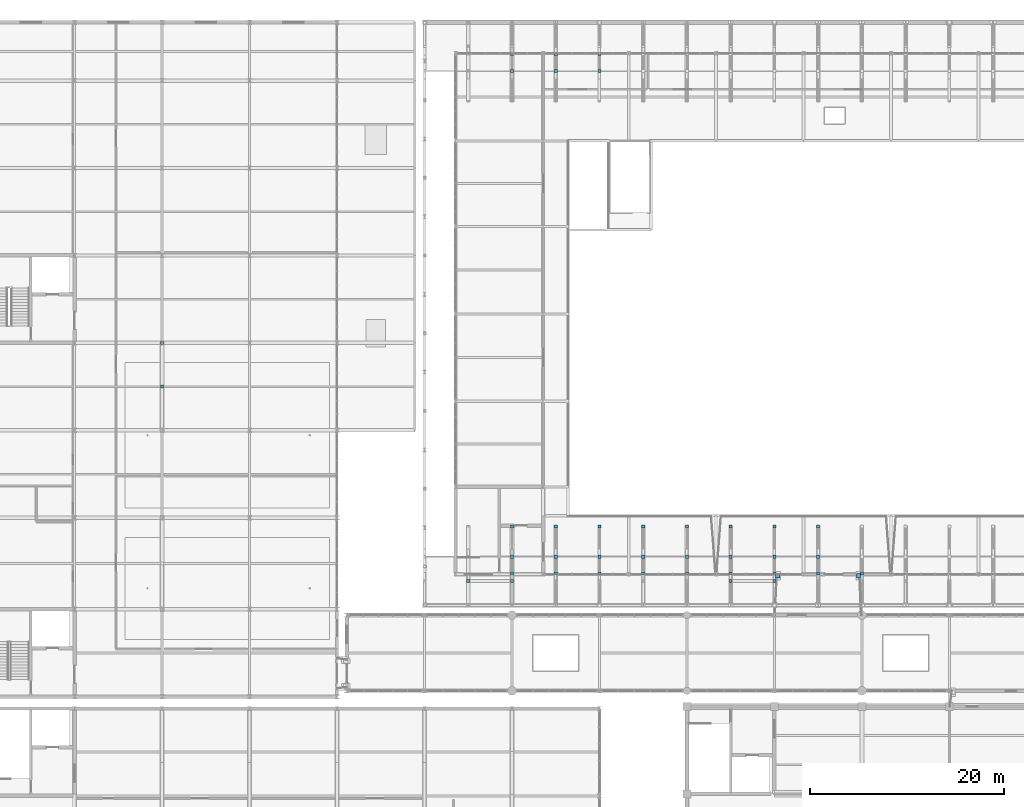
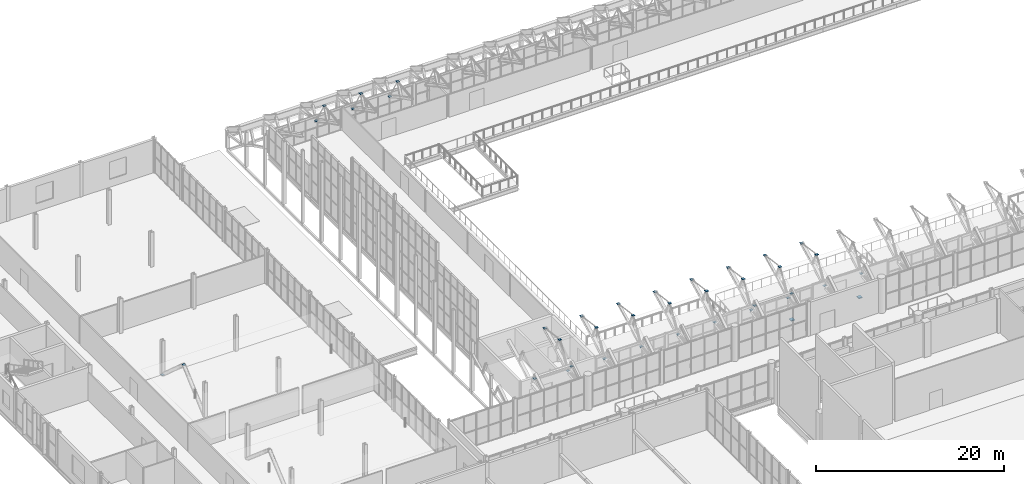
# One storey, part 124 of 134: 39 discrete accessories.
"""IFC4 building model written with IfcOpenShell, lengths in metres."""

import ifcopenshell
import ifcopenshell.guid

model = None  # the IFC model being written
_history = None  # IfcOwnerHistory: only IFC2X3 demands one
_inside = {}  # id of a spatial element -> (the spatial element, [elements in it])
_under = {}  # id of a project, library or spatial element -> (it, [spatial elements below it])
_declared = {}  # id of a project -> (the project, [libraries it declares])
_typed = {}  # id of a type object -> (the type object, [elements of that type])
_made_of = {}  # id of a material, layer set ... -> (it, [elements and type objects made of it])


def new_model(schema):
    """Start an empty IFC model of exactly this schema.

    Asked for "IFC4X3", IfcOpenShell would pick the latest addendum, in which some entities
    have other attributes; the version numbers below select the first issue.
    IFC2X3 requires an IfcOwnerHistory on every rooted entity: one is made here for all.
    """
    global model, _history
    if schema == "IFC4X3":
        model = ifcopenshell.file(schema_version=(4, 3, 0, 0))
    else:
        model = ifcopenshell.file(schema=schema)
    _inside.clear()
    _under.clear()
    _declared.clear()
    _typed.clear()
    _made_of.clear()
    _history = None
    if model.schema == "IFC2X3":
        org = make("IfcOrganization", Name="unknown")
        user = make(
            "IfcPersonAndOrganization",
            ThePerson=make("IfcPerson", FamilyName="unknown"),
            TheOrganization=org,
        )
        app = make(
            "IfcApplication",
            ApplicationDeveloper=org,
            Version="unknown",
            ApplicationFullName="unknown",
            ApplicationIdentifier="unknown",
        )
        _history = make(
            "IfcOwnerHistory",
            OwningUser=user,
            OwningApplication=app,
            ChangeAction="ADDED",
            CreationDate=0,
        )
    return model


def make(cls, **values):
    """One entity of the class cls with the attributes given. An attribute that is None is left unset."""
    return model.create_entity(
        cls, **{name: value for name, value in values.items() if value is not None}
    )


def rooted(cls, **values):
    """An entity with a GlobalId (a new one), such as an element, a storey or a relation."""
    return make(cls, GlobalId=ifcopenshell.guid.new(), OwnerHistory=_history, **values)


def si_unit(unit_type, name, prefix=None):
    """IfcSIUnit, for example si_unit("LENGTHUNIT", "METRE", prefix="MILLI")."""
    return make("IfcSIUnit", UnitType=unit_type, Prefix=prefix, Name=name)


def assignment(units):
    """IfcUnitAssignment: the units of a project."""
    return None if units is None else make("IfcUnitAssignment", Units=units)


def point(xyz):
    """IfcCartesianPoint."""
    return None if xyz is None else make("IfcCartesianPoint", Coordinates=xyz)


def direction(xyz):
    """IfcDirection."""
    return None if xyz is None else make("IfcDirection", DirectionRatios=xyz)


def frame(location, z_axis=None, x_axis=None):
    """IfcAxis2Placement3D, a coordinate frame: its origin and axes. An axis left out is left unset."""
    return make(
        "IfcAxis2Placement3D",
        Location=point(location),
        Axis=direction(z_axis),
        RefDirection=direction(x_axis),
    )


def frame_2d(location, x_axis=None):
    """IfcAxis2Placement2D, a coordinate frame in the plane: its origin and x axis."""
    return make(
        "IfcAxis2Placement2D", Location=point(location), RefDirection=direction(x_axis)
    )


def origin():
    """The frame at (0, 0, 0) with its axes left unset."""
    return frame((0.0, 0.0, 0.0))


def origin_2d():
    """The frame at (0, 0) in the plane with its x axis left unset."""
    return frame_2d((0.0, 0.0))


def place(relative_to, where):
    """IfcLocalPlacement: puts the frame where relative to a parent placement (None: the world)."""
    return make(
        "IfcLocalPlacement", PlacementRelTo=relative_to, RelativePlacement=where
    )


def context(
    kind, dimensions, precision=None, world=None, true_north=None, identifier=None
):
    """IfcGeometricRepresentationContext, for example the 3D "Model" context."""
    return make(
        "IfcGeometricRepresentationContext",
        ContextIdentifier=identifier,
        ContextType=kind,
        CoordinateSpaceDimension=dimensions,
        Precision=precision,
        WorldCoordinateSystem=world,
        TrueNorth=true_north,
    )


def subcontext(parent, identifier, kind, view, scale=None):
    """IfcGeometricRepresentationSubContext, for example "Body" below "Model"."""
    return make(
        "IfcGeometricRepresentationSubContext",
        ContextIdentifier=identifier,
        ContextType=kind,
        ParentContext=parent,
        TargetScale=scale,
        TargetView=view,
    )


def project(units=None, contexts=None):
    """IfcProject with its units and contexts."""
    return rooted(
        "IfcProject",
        Name="project",
        RepresentationContexts=contexts,
        UnitsInContext=assignment(units),
    )


def spatial(cls, under=None, at=None, **own):
    """A site, building, storey or space (cls), placed at a placement, below another one or the project."""
    s = rooted(cls, ObjectPlacement=at, **own)
    if under is not None:
        _under.setdefault(under.id(), (under, []))[1].append(s)
    return s


def profile(cls, at=None, kind="AREA", **sizes):
    """A parametric profile (cls). Its sizes go by their IFC names, for example OverallWidth=200.0."""
    return make(cls, ProfileType=kind, Position=at, **sizes)


def rectangle(**sizes):
    """IfcRectangleProfileDef."""
    return profile("IfcRectangleProfileDef", **sizes)


def extrude(swept, where, along, depth):
    """IfcExtrudedAreaSolid: the profile swept, set in the frame where, extruded along a direction by depth."""
    return make(
        "IfcExtrudedAreaSolid",
        SweptArea=swept,
        Position=where,
        ExtrudedDirection=direction(along),
        Depth=depth,
    )


def shape(context_of_items, identifier, shape_type, items):
    """IfcShapeRepresentation: the items that make up one representation, for example the "Body"."""
    return make(
        "IfcShapeRepresentation",
        ContextOfItems=context_of_items,
        RepresentationIdentifier=identifier,
        RepresentationType=shape_type,
        Items=items,
    )


def material(Name=None, Category=None):
    """IfcMaterial."""
    return make("IfcMaterial", Name=Name, Category=Category)


def made_of(thing, what):
    """Note that an element or type object is made of a material, layer set ...; save() writes the relation."""
    if what is not None:
        _made_of.setdefault(what.id(), (what, []))[1].append(thing)
    return thing


def type_object(cls, material=None, **own):
    """A type object (cls), such as IfcWallType, which elements share."""
    return made_of(rooted(cls, **own), material)


def element(
    cls,
    number,
    at=None,
    inside=None,
    cuts=None,
    type_object=None,
    material=None,
    context=None,
    identifier="Body",
    shape_type=None,
    held_by="IfcProductDefinitionShape",
    body=None,
    shapes=None,
    **own,
):
    """One element of the class cls, such as IfcWall. Its Tag is "e" and its number.

    at: its placement. inside: the storey or other place that contains it. cuts: it is an
    opening in that element (IfcRelVoidsElement). A single representation is given by context,
    identifier, shape_type and body (its items); several are given by shapes. held_by: the class
    of the entity that holds the representations. save() writes the other relations.
    """
    e = rooted(cls, Tag="e%d" % number, ObjectPlacement=at, **own)
    if body is not None:
        shapes = [shape(context, identifier, shape_type, body)]
    if shapes is not None:
        e.Representation = make(held_by, Representations=shapes)
    if inside is not None:
        _inside.setdefault(inside.id(), (inside, []))[1].append(e)
    if cuts is not None:
        rooted(
            "IfcRelVoidsElement", RelatingBuildingElement=cuts, RelatedOpeningElement=e
        )
    if type_object is not None:
        _typed.setdefault(type_object.id(), (type_object, []))[1].append(e)
    return made_of(e, material)


def aggregate(whole, parts):
    """IfcRelAggregates: a whole, such as a stair, and the parts it consists of."""
    return rooted("IfcRelAggregates", RelatingObject=whole, RelatedObjects=parts)


def save(model, path):
    """Write the relations noted so far, then the file.

    IfcRelAggregates (storeys below a building ...), IfcRelContainedInSpatialStructure (elements
    in a storey), IfcRelDefinesByType, IfcRelAssociatesMaterial and IfcRelDeclares: one each for
    every whole, place, type object, material and project.
    """
    for whole, parts in _under.values():
        aggregate(whole, parts)
    for where, things in _inside.values():
        rooted(
            "IfcRelContainedInSpatialStructure",
            RelatedElements=things,
            RelatingStructure=where,
        )
    for kind, things in _typed.values():
        rooted("IfcRelDefinesByType", RelatedObjects=things, RelatingType=kind)
    for what, things in _made_of.values():
        rooted("IfcRelAssociatesMaterial", RelatedObjects=things, RelatingMaterial=what)
    for by, libraries in _declared.values():
        rooted("IfcRelDeclares", RelatingContext=by, RelatedDefinitions=libraries)
    model.write(path)


model = new_model("IFC4")

# Units and contexts
model_context = context("Model", 3, precision=1e-05, world=origin(), true_north=direction((0.0, 1.0)))
body_context = subcontext(model_context, "Body", "Model", "MODEL_VIEW")
ifc_project = project(units=[si_unit("LENGTHUNIT", "METRE"), si_unit("AREAUNIT", "SQUARE_METRE"), si_unit("VOLUMEUNIT", "CUBIC_METRE"), si_unit("PLANEANGLEUNIT", "RADIAN"), si_unit("MASSUNIT", "GRAM", prefix="KILO")], contexts=[model_context])

# Site, building, storey
site_placement = place(None, origin())
site = spatial("IfcSite", under=ifc_project, at=site_placement, CompositionType="ELEMENT")
building_placement = place(site_placement, origin())
building = spatial("IfcBuilding", under=site, at=building_placement, Name="Cazmaro Siding Exhibition Halls", CompositionType="ELEMENT")
storey_placement = place(building_placement, frame((0.0, 0.0, 12.0)))
storey = spatial("IfcBuildingStorey", under=building, at=storey_placement, Name="L02", CompositionType="ELEMENT", Elevation=12.0)

# Discrete accessories
ifc_material_1 = material(Name="PTFE Stainless Steel Elastomeric Bearing Assembly", Category="steel")
discrete_accessory_type_1 = type_object("IfcDiscreteAccessoryType", Name="SB-PTFE-01", PredefinedType="USERDEFINED", material=ifc_material_1)
for number, where, z_axis, x_axis, name in (
    (1, (81.35009765625, 67.050048828125, -0.571044921875), (0.0, 0.0, 1.0), (1.0, 0.0, 0.0), "Unguided Bi-Directional PTFE Sliding Bearing SB-01 L02"),
    (2, (89.64990234375, 67.050048828125, -0.571044921875), (0.0, 0.0, 1.0), (1.0, 0.0, 0.0), "Unguided Bi-Directional PTFE Sliding Bearing SB-01 L02"),
):
    element("IfcDiscreteAccessory", number, at=place(storey_placement, frame(where, z_axis=z_axis, x_axis=x_axis)), inside=storey, type_object=discrete_accessory_type_1, Name=name, ObjectType="SLIDING BEARING", PredefinedType="USERDEFINED", context=body_context, shape_type="SweptSolid", body=[
        extrude(rectangle(XDim=0.449951171875, YDim=0.449951171875, at=origin_2d()), origin(), (0.0, 0.0, 1.0), 0.1201171875),
    ])
ifc_material_2 = material(Name="Steel ASTM A572 Grade 50", Category="steel")
discrete_accessory_type_2 = type_object("IfcDiscreteAccessoryType", Name="GP-CONN-01", PredefinedType="BRACKET", material=ifc_material_2)
for number, where, z_axis, x_axis, name in (
    (3, (18.0, 86.5, 3.9970703125), (0.0, 0.0, 1.0), (1.0, 0.0, 0.0), "Welded Steel Brace Node Gusset Connection GP-01 0042"),
    (4, (18.0, 91.0, -0.01513671875), (0.0, 0.0, 1.0), (1.0, 0.0, 0.0), "Welded Steel Brace Node Gusset Connection GP-01 0046"),
    (5, (49.5, 66.5, 3.337890625), (0.0, 0.0, 1.0), (1.0, 0.0, 0.0), "Welded Steel Brace Node Gusset Connection GP-01 0076"),
    (6, (54.0, 66.5, 3.337890625), (0.0, 0.0, 1.0), (1.0, 0.0, 0.0), "Welded Steel Brace Node Gusset Connection GP-01 0090"),
    (7, (54.0, 67.27099609375, 2.291015625), (0.0, 0.0, 1.0), (1.0, 0.0, 0.0), "Welded Steel Brace Node Gusset Connection GP-01 0091"),
    (8, (54.0, 69.0, 5.2861328125), (0.0, 0.0, 1.0), (1.0, 0.0, 0.0), "Welded Steel Brace Node Gusset Connection GP-01 0092"),
    (9, (54.0, 72.131103515625, 4.86376953125), (0.0, 0.0, 1.0), (1.0, 0.0, 0.0), "Welded Steel Brace Node Gusset Connection GP-01 0093"),
    (10, (54.0, 119.0, 5.2861328125), (0.0, 0.0, 1.0), (1.0, 0.0, 0.0), "Welded Steel Brace Node Gusset Connection GP-01 0114"),
    (11, (54.0, 120.72900390625, 2.291015625), (0.0, 0.0, 1.0), (1.0, 0.0, 0.0), "Welded Steel Brace Node Gusset Connection GP-01 0115"),
    (12, (58.5, 67.27099609375, 2.291015625), (0.0, 0.0, 1.0), (1.0, 0.0, 0.0), "Welded Steel Brace Node Gusset Connection GP-01 0116"),
    (13, (58.5, 69.0, 5.2861328125), (0.0, 0.0, 1.0), (1.0, 0.0, 0.0), "Welded Steel Brace Node Gusset Connection GP-01 0117"),
    (14, (58.5, 72.131103515625, 4.86376953125), (0.0, 0.0, 1.0), (1.0, 0.0, 0.0), "Welded Steel Brace Node Gusset Connection GP-01 0118"),
    (15, (58.5, 119.0, 5.2861328125), (0.0, 0.0, 1.0), (1.0, 0.0, 0.0), "Welded Steel Brace Node Gusset Connection GP-01 0136"),
    (16, (58.5, 120.72900390625, 2.291015625), (0.0, 0.0, 1.0), (1.0, 0.0, 0.0), "Welded Steel Brace Node Gusset Connection GP-01 0137"),
    (17, (63.0, 67.27099609375, 2.291015625), (0.0, 0.0, 1.0), (1.0, 0.0, 0.0), "Welded Steel Brace Node Gusset Connection GP-01 0138"),
    (18, (63.0, 69.0, 5.2861328125), (0.0, 0.0, 1.0), (1.0, 0.0, 0.0), "Welded Steel Brace Node Gusset Connection GP-01 0139"),
    (19, (63.0, 72.131103515625, 4.86376953125), (0.0, 0.0, 1.0), (1.0, 0.0, 0.0), "Welded Steel Brace Node Gusset Connection GP-01 0140"),
    (20, (63.0, 119.0, 5.2861328125), (0.0, 0.0, 1.0), (1.0, 0.0, 0.0), "Welded Steel Brace Node Gusset Connection GP-01 0158"),
    (21, (63.0, 120.72900390625, 2.291015625), (0.0, 0.0, 1.0), (1.0, 0.0, 0.0), "Welded Steel Brace Node Gusset Connection GP-01 0159"),
    (22, (67.5, 67.27099609375, 2.291015625), (0.0, 0.0, 1.0), (1.0, 0.0, 0.0), "Welded Steel Brace Node Gusset Connection GP-01 0160"),
    (23, (67.5, 69.0, 5.2861328125), (0.0, 0.0, 1.0), (1.0, 0.0, 0.0), "Welded Steel Brace Node Gusset Connection GP-01 0161"),
    (24, (67.5, 72.131103515625, 4.86376953125), (0.0, 0.0, 1.0), (1.0, 0.0, 0.0), "Welded Steel Brace Node Gusset Connection GP-01 0162"),
    (25, (72.0, 67.27099609375, 2.291015625), (0.0, 0.0, 1.0), (1.0, 0.0, 0.0), "Welded Steel Brace Node Gusset Connection GP-01 0193"),
    (26, (72.0, 69.0, 5.2861328125), (0.0, 0.0, 1.0), (1.0, 0.0, 0.0), "Welded Steel Brace Node Gusset Connection GP-01 0194"),
    (27, (72.0, 72.131103515625, 4.86376953125), (0.0, 0.0, 1.0), (1.0, 0.0, 0.0), "Welded Steel Brace Node Gusset Connection GP-01 0195"),
    (28, (76.5, 66.5, 3.337890625), (0.0, 0.0, 1.0), (1.0, 0.0, 0.0), "Welded Steel Brace Node Gusset Connection GP-01 0215"),
    (29, (76.5, 67.27099609375, 2.291015625), (0.0, 0.0, 1.0), (1.0, 0.0, 0.0), "Welded Steel Brace Node Gusset Connection GP-01 0216"),
    (30, (76.5, 69.0, 5.2861328125), (0.0, 0.0, 1.0), (1.0, 0.0, 0.0), "Welded Steel Brace Node Gusset Connection GP-01 0218"),
    (31, (76.5, 72.131103515625, 4.86376953125), (0.0, 0.0, 1.0), (1.0, 0.0, 0.0), "Welded Steel Brace Node Gusset Connection GP-01 0219"),
    (32, (81.0, 66.5, 3.337890625), (0.0, 0.0, 1.0), (1.0, 0.0, 0.0), "Welded Steel Brace Node Gusset Connection GP-01 0253"),
    (33, (81.0, 67.27099609375, 2.291015625), (0.0, 0.0, 1.0), (1.0, 0.0, 0.0), "Welded Steel Brace Node Gusset Connection GP-01 0254"),
    (34, (81.0, 69.0, 5.2861328125), (0.0, 0.0, 1.0), (1.0, 0.0, 0.0), "Welded Steel Brace Node Gusset Connection GP-01 0255"),
    (35, (81.0, 72.131103515625, 4.86376953125), (0.0, 0.0, 1.0), (1.0, 0.0, 0.0), "Welded Steel Brace Node Gusset Connection GP-01 0256"),
    (36, (85.5, 67.27099609375, 2.291015625), (0.0, 0.0, 1.0), (1.0, 0.0, 0.0), "Welded Steel Brace Node Gusset Connection GP-01 0279"),
    (37, (85.5, 69.0, 5.2861328125), (0.0, 0.0, 1.0), (1.0, 0.0, 0.0), "Welded Steel Brace Node Gusset Connection GP-01 0280"),
    (38, (85.5, 72.131103515625, 4.86376953125), (0.0, 0.0, 1.0), (1.0, 0.0, 0.0), "Welded Steel Brace Node Gusset Connection GP-01 0281"),
    (39, (90.0, 67.27099609375, 2.291015625), (0.0, 0.0, 1.0), (1.0, 0.0, 0.0), "Welded Steel Brace Node Gusset Connection GP-01 0312"),
):
    element("IfcDiscreteAccessory", number, at=place(storey_placement, frame(where, z_axis=z_axis, x_axis=x_axis)), inside=storey, type_object=discrete_accessory_type_2, Name=name, PredefinedType="BRACKET", context=body_context, shape_type="SweptSolid", body=[
        extrude(rectangle(XDim=0.320068359375, YDim=0.320068359375, at=origin_2d()), origin(), (0.0, 0.0, 1.0), 0.030029296875),
    ])

save(model, "model.ifc")
